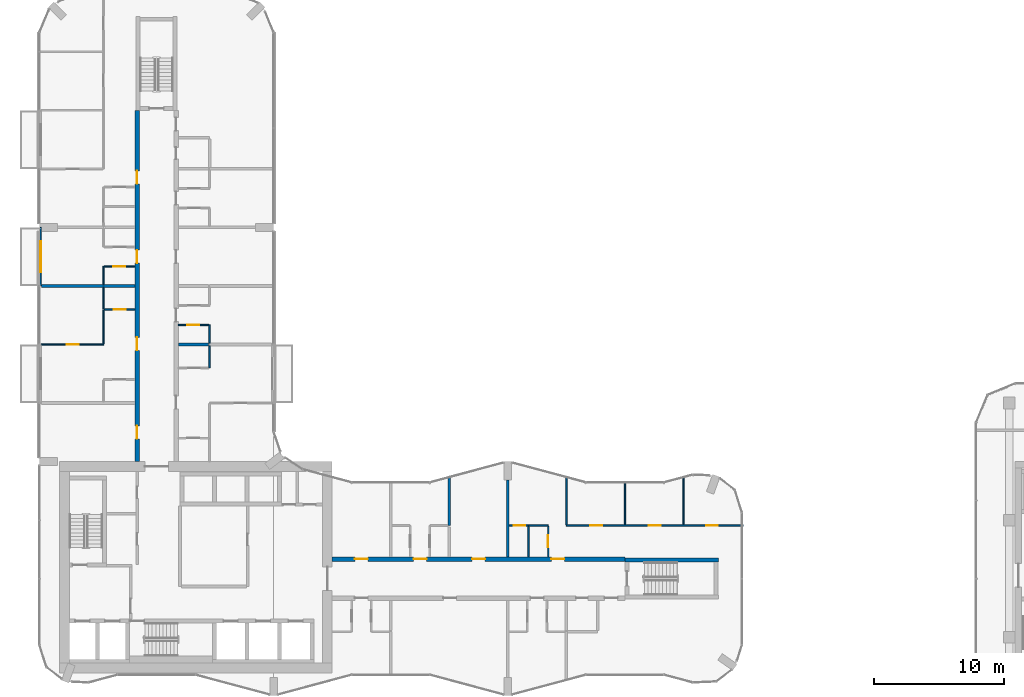
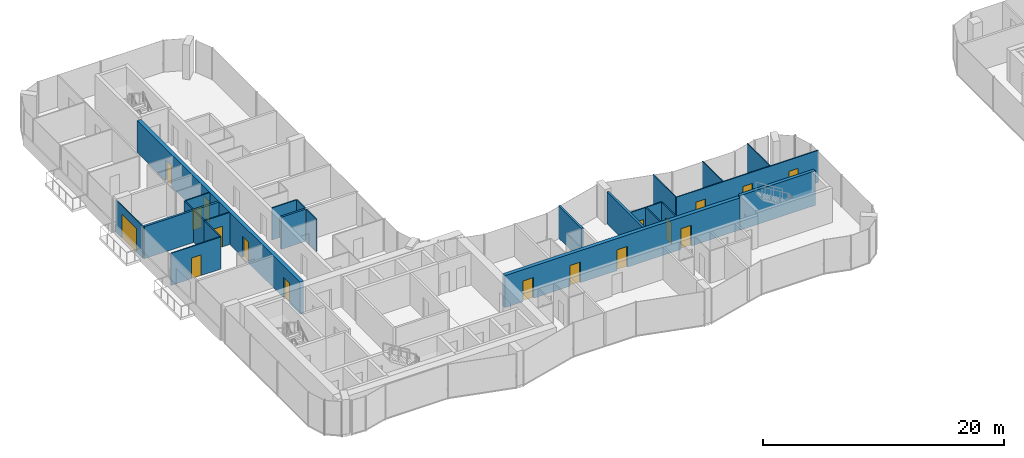
# One storey, part 15 of 22: 24 walls, 18 doors, 18 openings.
"""IFC4 building model written with IfcOpenShell, lengths in metres."""

import ifcopenshell
import ifcopenshell.guid

model = None  # the IFC model being written
_history = None  # IfcOwnerHistory: only IFC2X3 demands one
_inside = {}  # id of a spatial element -> (the spatial element, [elements in it])
_under = {}  # id of a project, library or spatial element -> (it, [spatial elements below it])
_declared = {}  # id of a project -> (the project, [libraries it declares])
_typed = {}  # id of a type object -> (the type object, [elements of that type])
_made_of = {}  # id of a material, layer set ... -> (it, [elements and type objects made of it])


def new_model(schema):
    """Start an empty IFC model of exactly this schema.

    Asked for "IFC4X3", IfcOpenShell would pick the latest addendum, in which some entities
    have other attributes; the version numbers below select the first issue.
    IFC2X3 requires an IfcOwnerHistory on every rooted entity: one is made here for all.
    """
    global model, _history
    if schema == "IFC4X3":
        model = ifcopenshell.file(schema_version=(4, 3, 0, 0))
    else:
        model = ifcopenshell.file(schema=schema)
    _inside.clear()
    _under.clear()
    _declared.clear()
    _typed.clear()
    _made_of.clear()
    _history = None
    if model.schema == "IFC2X3":
        org = make("IfcOrganization", Name="unknown")
        user = make(
            "IfcPersonAndOrganization",
            ThePerson=make("IfcPerson", FamilyName="unknown"),
            TheOrganization=org,
        )
        app = make(
            "IfcApplication",
            ApplicationDeveloper=org,
            Version="unknown",
            ApplicationFullName="unknown",
            ApplicationIdentifier="unknown",
        )
        _history = make(
            "IfcOwnerHistory",
            OwningUser=user,
            OwningApplication=app,
            ChangeAction="ADDED",
            CreationDate=0,
        )
    return model


def make(cls, **values):
    """One entity of the class cls with the attributes given. An attribute that is None is left unset."""
    return model.create_entity(
        cls, **{name: value for name, value in values.items() if value is not None}
    )


def rooted(cls, **values):
    """An entity with a GlobalId (a new one), such as an element, a storey or a relation."""
    return make(cls, GlobalId=ifcopenshell.guid.new(), OwnerHistory=_history, **values)


def si_unit(unit_type, name, prefix=None):
    """IfcSIUnit, for example si_unit("LENGTHUNIT", "METRE", prefix="MILLI")."""
    return make("IfcSIUnit", UnitType=unit_type, Prefix=prefix, Name=name)


def assignment(units):
    """IfcUnitAssignment: the units of a project."""
    return None if units is None else make("IfcUnitAssignment", Units=units)


def point(xyz):
    """IfcCartesianPoint."""
    return None if xyz is None else make("IfcCartesianPoint", Coordinates=xyz)


def direction(xyz):
    """IfcDirection."""
    return None if xyz is None else make("IfcDirection", DirectionRatios=xyz)


def frame(location, z_axis=None, x_axis=None):
    """IfcAxis2Placement3D, a coordinate frame: its origin and axes. An axis left out is left unset."""
    return make(
        "IfcAxis2Placement3D",
        Location=point(location),
        Axis=direction(z_axis),
        RefDirection=direction(x_axis),
    )


def frame_2d(location, x_axis=None):
    """IfcAxis2Placement2D, a coordinate frame in the plane: its origin and x axis."""
    return make(
        "IfcAxis2Placement2D", Location=point(location), RefDirection=direction(x_axis)
    )


def origin():
    """The frame at (0, 0, 0) with its axes left unset."""
    return frame((0.0, 0.0, 0.0))


def place(relative_to, where):
    """IfcLocalPlacement: puts the frame where relative to a parent placement (None: the world)."""
    return make(
        "IfcLocalPlacement", PlacementRelTo=relative_to, RelativePlacement=where
    )


def context(
    kind, dimensions, precision=None, world=None, true_north=None, identifier=None
):
    """IfcGeometricRepresentationContext, for example the 3D "Model" context."""
    return make(
        "IfcGeometricRepresentationContext",
        ContextIdentifier=identifier,
        ContextType=kind,
        CoordinateSpaceDimension=dimensions,
        Precision=precision,
        WorldCoordinateSystem=world,
        TrueNorth=true_north,
    )


def subcontext(parent, identifier, kind, view, scale=None):
    """IfcGeometricRepresentationSubContext, for example "Body" below "Model"."""
    return make(
        "IfcGeometricRepresentationSubContext",
        ContextIdentifier=identifier,
        ContextType=kind,
        ParentContext=parent,
        TargetScale=scale,
        TargetView=view,
    )


def project(units=None, contexts=None):
    """IfcProject with its units and contexts."""
    return rooted(
        "IfcProject",
        Name="project",
        RepresentationContexts=contexts,
        UnitsInContext=assignment(units),
    )


def spatial(cls, under=None, at=None, **own):
    """A site, building, storey or space (cls), placed at a placement, below another one or the project."""
    s = rooted(cls, ObjectPlacement=at, **own)
    if under is not None:
        _under.setdefault(under.id(), (under, []))[1].append(s)
    return s


def profile(cls, at=None, kind="AREA", **sizes):
    """A parametric profile (cls). Its sizes go by their IFC names, for example OverallWidth=200.0."""
    return make(cls, ProfileType=kind, Position=at, **sizes)


def rectangle(**sizes):
    """IfcRectangleProfileDef."""
    return profile("IfcRectangleProfileDef", **sizes)


def extrude(swept, where, along, depth):
    """IfcExtrudedAreaSolid: the profile swept, set in the frame where, extruded along a direction by depth."""
    return make(
        "IfcExtrudedAreaSolid",
        SweptArea=swept,
        Position=where,
        ExtrudedDirection=direction(along),
        Depth=depth,
    )


def shape(context_of_items, identifier, shape_type, items):
    """IfcShapeRepresentation: the items that make up one representation, for example the "Body"."""
    return make(
        "IfcShapeRepresentation",
        ContextOfItems=context_of_items,
        RepresentationIdentifier=identifier,
        RepresentationType=shape_type,
        Items=items,
    )


def material(Name=None, Category=None):
    """IfcMaterial."""
    return make("IfcMaterial", Name=Name, Category=Category)


def layer(
    of_material, thickness, ventilated=None, Name=None, Category=None, Priority=None
):
    """IfcMaterialLayer: one layer of a wall or slab, of a material (None: an air gap)."""
    return make(
        "IfcMaterialLayer",
        Material=of_material,
        LayerThickness=thickness,
        IsVentilated=ventilated,
        Name=Name,
        Category=Category,
        Priority=Priority,
    )


def layer_set(layers, Name=None):
    """IfcMaterialLayerSet."""
    return make("IfcMaterialLayerSet", MaterialLayers=layers, LayerSetName=Name)


def made_of(thing, what):
    """Note that an element or type object is made of a material, layer set ...; save() writes the relation."""
    if what is not None:
        _made_of.setdefault(what.id(), (what, []))[1].append(thing)
    return thing


def type_object(cls, material=None, **own):
    """A type object (cls), such as IfcWallType, which elements share."""
    return made_of(rooted(cls, **own), material)


def element(
    cls,
    number,
    at=None,
    inside=None,
    cuts=None,
    type_object=None,
    material=None,
    context=None,
    identifier="Body",
    shape_type=None,
    held_by="IfcProductDefinitionShape",
    body=None,
    shapes=None,
    **own,
):
    """One element of the class cls, such as IfcWall. Its Tag is "e" and its number.

    at: its placement. inside: the storey or other place that contains it. cuts: it is an
    opening in that element (IfcRelVoidsElement). A single representation is given by context,
    identifier, shape_type and body (its items); several are given by shapes. held_by: the class
    of the entity that holds the representations. save() writes the other relations.
    """
    e = rooted(cls, Tag="e%d" % number, ObjectPlacement=at, **own)
    if body is not None:
        shapes = [shape(context, identifier, shape_type, body)]
    if shapes is not None:
        e.Representation = make(held_by, Representations=shapes)
    if inside is not None:
        _inside.setdefault(inside.id(), (inside, []))[1].append(e)
    if cuts is not None:
        rooted(
            "IfcRelVoidsElement", RelatingBuildingElement=cuts, RelatedOpeningElement=e
        )
    if type_object is not None:
        _typed.setdefault(type_object.id(), (type_object, []))[1].append(e)
    return made_of(e, material)


def fill(opening, filler):
    """IfcRelFillsElement: the door or window that sits in an opening."""
    return rooted(
        "IfcRelFillsElement",
        RelatingOpeningElement=opening,
        RelatedBuildingElement=filler,
    )


def aggregate(whole, parts):
    """IfcRelAggregates: a whole, such as a stair, and the parts it consists of."""
    return rooted("IfcRelAggregates", RelatingObject=whole, RelatedObjects=parts)


def save(model, path):
    """Write the relations noted so far, then the file.

    IfcRelAggregates (storeys below a building ...), IfcRelContainedInSpatialStructure (elements
    in a storey), IfcRelDefinesByType, IfcRelAssociatesMaterial and IfcRelDeclares: one each for
    every whole, place, type object, material and project.
    """
    for whole, parts in _under.values():
        aggregate(whole, parts)
    for where, things in _inside.values():
        rooted(
            "IfcRelContainedInSpatialStructure",
            RelatedElements=things,
            RelatingStructure=where,
        )
    for kind, things in _typed.values():
        rooted("IfcRelDefinesByType", RelatedObjects=things, RelatingType=kind)
    for what, things in _made_of.values():
        rooted("IfcRelAssociatesMaterial", RelatedObjects=things, RelatingMaterial=what)
    for by, libraries in _declared.values():
        rooted("IfcRelDeclares", RelatingContext=by, RelatedDefinitions=libraries)
    model.write(path)


model = new_model("IFC4")

# Units and contexts
model_context = context("Model", 3, precision=1e-05, world=origin(), true_north=direction((0.0, 1.0)))
body_context = subcontext(model_context, "Body", "Model", "MODEL_VIEW")
ifc_project = project(units=[si_unit("LENGTHUNIT", "METRE"), si_unit("AREAUNIT", "SQUARE_METRE"), si_unit("VOLUMEUNIT", "CUBIC_METRE"), si_unit("PLANEANGLEUNIT", "RADIAN"), si_unit("MASSUNIT", "GRAM", prefix="KILO")], contexts=[model_context])

# Site, building, storey
site_placement = place(None, origin())
site = spatial("IfcSite", under=ifc_project, at=site_placement, CompositionType="ELEMENT")
building_placement = place(site_placement, origin())
building = spatial("IfcBuilding", under=site, at=building_placement, Name="Plateau Cross Towers", CompositionType="ELEMENT")
storey_placement = place(building_placement, frame((0.0, 0.0, 54.800048828125)))
storey = spatial("IfcBuildingStorey", under=building, at=storey_placement, Name="L13", CompositionType="ELEMENT", Elevation=54.800048828125)

# Wall, opening, door
ifc_material_1 = material(Name="Aluminium framed glazing", Category="aluminium")
ifc_layer_1 = layer(ifc_material_1, 0.10009765625)
ifc_layer_set_1 = layer_set([ifc_layer_1], Name="Aluminium framed glazing")
wall_type_1 = type_object("IfcWallType", Name="Balcony screen wall 100", PredefinedType="STANDARD", material=ifc_layer_set_1)
wall_1_placement = place(storey_placement, frame((0.10009765625, 31.5, 0.0), z_axis=(0.0, 0.0, 1.0), x_axis=(0.0, 1.0, 0.0)))
wall_1 = element("IfcWall", 1, at=wall_1_placement, inside=storey, type_object=wall_type_1, Name="Balcony screen wall A-BAL-L13-02", PredefinedType="STANDARD", context=body_context, shape_type="SweptSolid", body=[
    extrude(rectangle(XDim=4.5, YDim=0.10009765625, at=frame_2d((2.25, 0.0))), origin(), (0.0, 0.0, 1.0), 3.25),
])
opening_1_placement = place(wall_1_placement, frame((1.050048828125, 0.0, 0.0)))
opening_1 = element("IfcOpeningElement", 2, at=opening_1_placement, cuts=wall_1, Name="Opening D-B24", PredefinedType="OPENING", context=body_context, shape_type="SweptSolid", body=[
    extrude(rectangle(XDim=2.39990234375, YDim=2.39990234375, at=frame_2d((1.199951171875, 1.199951171875))), frame((0.0, 0.06005859375, 0.0), z_axis=(0.0, -1.0, 0.0), x_axis=(1.0, 0.0, 0.0)), (0.0, 0.0, 1.0), 0.1201171875),
])
ifc_material_2 = material(Name="Aluminium frame, double glazing", Category="aluminium")
door_type_1 = type_object("IfcDoorType", Name="Balcony sliding door 2400", OperationType="NOTDEFINED", PredefinedType="DOOR", material=ifc_material_2)
door_1_placement = place(opening_1_placement, origin())
door_1 = element("IfcDoor", 3, at=door_1_placement, inside=storey, type_object=door_type_1, Name="Balcony door A-BAL-L13-02", OperationType="SINGLE_SWING_LEFT", OverallHeight=2.39990234375, OverallWidth=2.39990234375, PredefinedType="DOOR", context=body_context, shape_type="SweptSolid", body=[
    extrude(rectangle(XDim=2.39990234375, YDim=2.39990234375, at=frame_2d((1.199951171875, 1.199951171875))), frame((0.0, 0.02490234375, 0.0), z_axis=(0.0, -1.0, 0.0), x_axis=(1.0, 0.0, 0.0)), (0.0, 0.0, 1.0), 0.050048828125),
])
fill(opening_1, door_1)

# Wall, openings, doors
ifc_material_3 = material(Name="Concrete C60/75", Category="concrete")
ifc_layer_2 = layer(ifc_material_3, 0.35009765625)
ifc_layer_set_2 = layer_set([ifc_layer_2], Name="Concrete C60/75")
wall_type_2 = type_object("IfcWallType", Name="Corridor wall 350", PredefinedType="SHEAR", material=ifc_layer_set_2)
wall_2_placement = place(storey_placement, frame((22.5, 10.5, 0.0), z_axis=(0.0, 0.0, 1.0), x_axis=(1.0, 0.0, 0.0)))
wall_2 = element("IfcWall", 4, at=wall_2_placement, inside=storey, type_object=wall_type_2, Name="A-cw-S2@L13", PredefinedType="SHEAR", context=body_context, shape_type="SweptSolid", body=[
    extrude(rectangle(XDim=22.5, YDim=0.35009765625, at=frame_2d((11.25, 0.0))), origin(), (0.0, 0.0, 1.0), 3.25),
])
opening_2_placement = place(wall_2_placement, frame((1.75, 0.0, 0.0)))
opening_2 = element("IfcOpeningElement", 5, at=opening_2_placement, cuts=wall_2, Name="Opening 13-06", PredefinedType="OPENING", context=body_context, shape_type="SweptSolid", body=[
    extrude(rectangle(XDim=1.0, YDim=2.10009765625, at=frame_2d((0.5, 1.050048828125))), frame((0.0, 0.18505859375, 0.0), z_axis=(0.0, -1.0, 0.0), x_axis=(1.0, 0.0, 0.0)), (0.0, 0.0, 1.0), 0.3701171875),
])
opening_3_placement = place(wall_2_placement, frame((6.25, 0.0, 0.0)))
opening_3 = element("IfcOpeningElement", 6, at=opening_3_placement, cuts=wall_2, Name="Opening 13-07", PredefinedType="OPENING", context=body_context, shape_type="SweptSolid", body=[
    extrude(rectangle(XDim=1.0, YDim=2.10009765625, at=frame_2d((0.5, 1.050048828125))), frame((0.0, 0.18505859375, 0.0), z_axis=(0.0, -1.0, 0.0), x_axis=(1.0, 0.0, 0.0)), (0.0, 0.0, 1.0), 0.3701171875),
])
opening_4_placement = place(wall_2_placement, frame((10.75, 0.0, 0.0)))
opening_4 = element("IfcOpeningElement", 7, at=opening_4_placement, cuts=wall_2, Name="Opening 13-08", PredefinedType="OPENING", context=body_context, shape_type="SweptSolid", body=[
    extrude(rectangle(XDim=1.0, YDim=2.10009765625, at=frame_2d((0.5, 1.050048828125))), frame((0.0, 0.18505859375, 0.0), z_axis=(0.0, -1.0, 0.0), x_axis=(1.0, 0.0, 0.0)), (0.0, 0.0, 1.0), 0.3701171875),
])
opening_5_placement = place(wall_2_placement, frame((16.85009765625, 0.0, 0.0)))
opening_5 = element("IfcOpeningElement", 8, at=opening_5_placement, cuts=wall_2, Name="Opening 13-09", PredefinedType="OPENING", context=body_context, shape_type="SweptSolid", body=[
    extrude(rectangle(XDim=1.0, YDim=2.10009765625, at=frame_2d((0.5, 1.050048828125))), frame((0.0, 0.18505859375, 0.0), z_axis=(0.0, -1.0, 0.0), x_axis=(1.0, 0.0, 0.0)), (0.0, 0.0, 1.0), 0.3701171875),
])
ifc_material_4 = material(Name="Timber, fire-resisting leaf", Category="wood")
door_type_2 = type_object("IfcDoorType", Name="Flat entrance door 1000", OperationType="NOTDEFINED", PredefinedType="DOOR", material=ifc_material_4)
door_2_placement = place(opening_2_placement, origin())
door_2 = element("IfcDoor", 9, at=door_2_placement, inside=storey, type_object=door_type_2, Name="Door 13-06", OperationType="SINGLE_SWING_LEFT", OverallHeight=2.10009765625, OverallWidth=1.0, PredefinedType="DOOR", context=body_context, shape_type="SweptSolid", body=[
    extrude(rectangle(XDim=1.0, YDim=2.10009765625, at=frame_2d((0.5, 1.050048828125))), frame((0.0, 0.02490234375, 0.0), z_axis=(0.0, -1.0, 0.0), x_axis=(1.0, 0.0, 0.0)), (0.0, 0.0, 1.0), 0.050048828125),
])
fill(opening_2, door_2)
door_3_placement = place(opening_3_placement, origin())
door_3 = element("IfcDoor", 10, at=door_3_placement, inside=storey, type_object=door_type_2, Name="Door 13-07", OperationType="SINGLE_SWING_LEFT", OverallHeight=2.10009765625, OverallWidth=1.0, PredefinedType="DOOR", context=body_context, shape_type="SweptSolid", body=[
    extrude(rectangle(XDim=1.0, YDim=2.10009765625, at=frame_2d((0.5, 1.050048828125))), frame((0.0, 0.02490234375, 0.0), z_axis=(0.0, -1.0, 0.0), x_axis=(1.0, 0.0, 0.0)), (0.0, 0.0, 1.0), 0.050048828125),
])
fill(opening_3, door_3)
door_4_placement = place(opening_4_placement, origin())
door_4 = element("IfcDoor", 11, at=door_4_placement, inside=storey, type_object=door_type_2, Name="Door 13-08", OperationType="SINGLE_SWING_LEFT", OverallHeight=2.10009765625, OverallWidth=1.0, PredefinedType="DOOR", context=body_context, shape_type="SweptSolid", body=[
    extrude(rectangle(XDim=1.0, YDim=2.10009765625, at=frame_2d((0.5, 1.050048828125))), frame((0.0, 0.02490234375, 0.0), z_axis=(0.0, -1.0, 0.0), x_axis=(1.0, 0.0, 0.0)), (0.0, 0.0, 1.0), 0.050048828125),
])
fill(opening_4, door_4)
door_5_placement = place(opening_5_placement, origin())
door_5 = element("IfcDoor", 12, at=door_5_placement, inside=storey, type_object=door_type_2, Name="Door 13-09", OperationType="SINGLE_SWING_RIGHT", OverallHeight=2.10009765625, OverallWidth=1.0, PredefinedType="DOOR", context=body_context, shape_type="SweptSolid", body=[
    extrude(rectangle(XDim=1.0, YDim=2.10009765625, at=frame_2d((0.5, 1.050048828125))), frame((0.0, 0.02490234375, 0.0), z_axis=(0.0, -1.0, 0.0), x_axis=(1.0, 0.0, 0.0)), (0.0, 0.0, 1.0), 0.050048828125),
])
fill(opening_5, door_5)

wall_3_placement = place(storey_placement, frame((7.5, 18.0, 0.0), z_axis=(0.0, 0.0, 1.0), x_axis=(0.0, 1.0, 0.0)))
wall_3 = element("IfcWall", 13, at=wall_3_placement, inside=storey, type_object=wall_type_2, Name="A-cw-W1@L13", PredefinedType="SHEAR", context=body_context, shape_type="SweptSolid", body=[
    extrude(rectangle(XDim=27.0, YDim=0.35009765625, at=frame_2d((13.5, 0.0))), origin(), (0.0, 0.0, 1.0), 3.25),
])
opening_6_placement = place(wall_3_placement, frame((1.75, 0.0, 0.0)))
opening_6 = element("IfcOpeningElement", 14, at=opening_6_placement, cuts=wall_3, Name="Opening 13-10", PredefinedType="OPENING", context=body_context, shape_type="SweptSolid", body=[
    extrude(rectangle(XDim=1.0, YDim=2.10009765625, at=frame_2d((0.5, 1.050048828125))), frame((0.0, 0.18505859375, 0.0), z_axis=(0.0, -1.0, 0.0), x_axis=(1.0, 0.0, 0.0)), (0.0, 0.0, 1.0), 0.3701171875),
])
opening_7_placement = place(wall_3_placement, frame((8.550048828125, 0.0, 0.0)))
opening_7 = element("IfcOpeningElement", 15, at=opening_7_placement, cuts=wall_3, Name="Opening 13-11", PredefinedType="OPENING", context=body_context, shape_type="SweptSolid", body=[
    extrude(rectangle(XDim=1.0, YDim=2.10009765625, at=frame_2d((0.5, 1.050048828125))), frame((0.0, 0.18505859375, 0.0), z_axis=(0.0, -1.0, 0.0), x_axis=(1.0, 0.0, 0.0)), (0.0, 0.0, 1.0), 0.3701171875),
])
opening_8_placement = place(wall_3_placement, frame((15.25, 0.0, 0.0)))
opening_8 = element("IfcOpeningElement", 16, at=opening_8_placement, cuts=wall_3, Name="Opening 13-12", PredefinedType="OPENING", context=body_context, shape_type="SweptSolid", body=[
    extrude(rectangle(XDim=1.0, YDim=2.10009765625, at=frame_2d((0.5, 1.050048828125))), frame((0.0, 0.18505859375, 0.0), z_axis=(0.0, -1.0, 0.0), x_axis=(1.0, 0.0, 0.0)), (0.0, 0.0, 1.0), 0.3701171875),
])
opening_9_placement = place(wall_3_placement, frame((21.35009765625, 0.0, 0.0)))
opening_9 = element("IfcOpeningElement", 17, at=opening_9_placement, cuts=wall_3, Name="Opening 13-13", PredefinedType="OPENING", context=body_context, shape_type="SweptSolid", body=[
    extrude(rectangle(XDim=1.0, YDim=2.10009765625, at=frame_2d((0.5, 1.050048828125))), frame((0.0, 0.18505859375, 0.0), z_axis=(0.0, -1.0, 0.0), x_axis=(1.0, 0.0, 0.0)), (0.0, 0.0, 1.0), 0.3701171875),
])
door_6_placement = place(opening_6_placement, origin())
door_6 = element("IfcDoor", 18, at=door_6_placement, inside=storey, type_object=door_type_2, Name="Door 13-10", OperationType="SINGLE_SWING_LEFT", OverallHeight=2.10009765625, OverallWidth=1.0, PredefinedType="DOOR", context=body_context, shape_type="SweptSolid", body=[
    extrude(rectangle(XDim=1.0, YDim=2.10009765625, at=frame_2d((0.5, 1.050048828125))), frame((0.0, 0.02490234375, 0.0), z_axis=(0.0, -1.0, 0.0), x_axis=(1.0, 0.0, 0.0)), (0.0, 0.0, 1.0), 0.050048828125),
])
fill(opening_6, door_6)
door_7_placement = place(opening_7_placement, origin())
door_7 = element("IfcDoor", 19, at=door_7_placement, inside=storey, type_object=door_type_2, Name="Door 13-11", OperationType="SINGLE_SWING_LEFT", OverallHeight=2.10009765625, OverallWidth=1.0, PredefinedType="DOOR", context=body_context, shape_type="SweptSolid", body=[
    extrude(rectangle(XDim=1.0, YDim=2.10009765625, at=frame_2d((0.5, 1.050048828125))), frame((0.0, 0.02490234375, 0.0), z_axis=(0.0, -1.0, 0.0), x_axis=(1.0, 0.0, 0.0)), (0.0, 0.0, 1.0), 0.050048828125),
])
fill(opening_7, door_7)
door_8_placement = place(opening_8_placement, origin())
door_8 = element("IfcDoor", 20, at=door_8_placement, inside=storey, type_object=door_type_2, Name="Door 13-12", OperationType="SINGLE_SWING_RIGHT", OverallHeight=2.10009765625, OverallWidth=1.0, PredefinedType="DOOR", context=body_context, shape_type="SweptSolid", body=[
    extrude(rectangle(XDim=1.0, YDim=2.10009765625, at=frame_2d((0.5, 1.050048828125))), frame((0.0, 0.02490234375, 0.0), z_axis=(0.0, -1.0, 0.0), x_axis=(1.0, 0.0, 0.0)), (0.0, 0.0, 1.0), 0.050048828125),
])
fill(opening_8, door_8)
door_9_placement = place(opening_9_placement, origin())
door_9 = element("IfcDoor", 21, at=door_9_placement, inside=storey, type_object=door_type_2, Name="Door 13-13", OperationType="SINGLE_SWING_RIGHT", OverallHeight=2.10009765625, OverallWidth=1.0, PredefinedType="DOOR", context=body_context, shape_type="SweptSolid", body=[
    extrude(rectangle(XDim=1.0, YDim=2.10009765625, at=frame_2d((0.5, 1.050048828125))), frame((0.0, 0.02490234375, 0.0), z_axis=(0.0, -1.0, 0.0), x_axis=(1.0, 0.0, 0.0)), (0.0, 0.0, 1.0), 0.050048828125),
])
fill(opening_9, door_9)

# Wall, opening, door
ifc_material_5 = material(Name="Gypsum board on steel studs", Category="steel")
ifc_layer_3 = layer(ifc_material_5, 0.10009765625)
ifc_layer_set_3 = layer_set([ifc_layer_3], Name="Gypsum board on steel studs")
wall_type_3 = type_object("IfcWallType", Name="Flat partition 100", PredefinedType="PARTITIONING", material=ifc_layer_set_3)
wall_4_placement = place(storey_placement, frame((39.10009765625, 13.074951171875, 0.0), z_axis=(0.0, 0.0, 1.0), x_axis=(-1.0, 0.0, 0.0)))
wall_4 = element("IfcWall", 22, at=wall_4_placement, inside=storey, type_object=wall_type_3, Name="Partition wall", PredefinedType="PARTITIONING", context=body_context, shape_type="SweptSolid", body=[
    extrude(rectangle(XDim=3.0, YDim=0.10009765625, at=frame_2d((1.5, 0.0))), origin(), (0.0, 0.0, 1.0), 3.25),
])
opening_10_placement = place(wall_4_placement, frame((1.75, 0.0, 0.0)))
opening_10 = element("IfcOpeningElement", 23, at=opening_10_placement, cuts=wall_4, Name="Opening 13-26", PredefinedType="OPENING", context=body_context, shape_type="SweptSolid", body=[
    extrude(rectangle(XDim=0.89990234375, YDim=2.10009765625, at=frame_2d((0.449951171875, 1.050048828125))), frame((0.0, 0.06005859375, 0.0), z_axis=(0.0, -1.0, 0.0), x_axis=(1.0, 0.0, 0.0)), (0.0, 0.0, 1.0), 0.1201171875),
])
ifc_material_6 = material(Name="Timber leaf", Category="wood")
door_type_3 = type_object("IfcDoorType", Name="Flat room door 900", OperationType="NOTDEFINED", PredefinedType="DOOR", material=ifc_material_6)
door_10_placement = place(opening_10_placement, origin())
door_10 = element("IfcDoor", 24, at=door_10_placement, inside=storey, type_object=door_type_3, Name="Door 13-26", OperationType="SINGLE_SWING_RIGHT", OverallHeight=2.10009765625, OverallWidth=0.89990234375, PredefinedType="DOOR", context=body_context, shape_type="SweptSolid", body=[
    extrude(rectangle(XDim=0.89990234375, YDim=2.10009765625, at=frame_2d((0.449951171875, 1.050048828125))), frame((0.0, 0.02490234375, 0.0), z_axis=(0.0, -1.0, 0.0), x_axis=(1.0, 0.0, 0.0)), (0.0, 0.0, 1.0), 0.050048828125),
])
fill(opening_10, door_10)

# Wall, openings, doors
wall_5_placement = place(storey_placement, frame((40.5, 13.074951171875, 0.0), z_axis=(0.0, 0.0, 1.0), x_axis=(1.0, 0.0, 0.0)))
wall_5 = element("IfcWall", 25, at=wall_5_placement, inside=storey, type_object=wall_type_3, Name="Partition wall", PredefinedType="PARTITIONING", context=body_context, shape_type="SweptSolid", body=[
    extrude(rectangle(XDim=13.580078125, YDim=0.10009765625, at=frame_2d((6.7900390625, 0.0))), origin(), (0.0, 0.0, 1.0), 3.25),
])
opening_11_placement = place(wall_5_placement, frame((1.85009765625, 0.0, 0.0)))
opening_11 = element("IfcOpeningElement", 26, at=opening_11_placement, cuts=wall_5, Name="Opening 13-28", PredefinedType="OPENING", context=body_context, shape_type="SweptSolid", body=[
    extrude(rectangle(XDim=0.89990234375, YDim=2.10009765625, at=frame_2d((0.449951171875, 1.050048828125))), frame((0.0, 0.06005859375, 0.0), z_axis=(0.0, -1.0, 0.0), x_axis=(1.0, 0.0, 0.0)), (0.0, 0.0, 1.0), 0.1201171875),
])
opening_12_placement = place(wall_5_placement, frame((6.35009765625, 0.0, 0.0)))
opening_12 = element("IfcOpeningElement", 27, at=opening_12_placement, cuts=wall_5, Name="Opening 13-29", PredefinedType="OPENING", context=body_context, shape_type="SweptSolid", body=[
    extrude(rectangle(XDim=0.89990234375, YDim=2.10009765625, at=frame_2d((0.449951171875, 1.050048828125))), frame((0.0, 0.06005859375, 0.0), z_axis=(0.0, -1.0, 0.0), x_axis=(1.0, 0.0, 0.0)), (0.0, 0.0, 1.0), 0.1201171875),
])
opening_13_placement = place(wall_5_placement, frame((10.75, 0.0, 0.0)))
opening_13 = element("IfcOpeningElement", 28, at=opening_13_placement, cuts=wall_5, Name="Opening 13-30", PredefinedType="OPENING", context=body_context, shape_type="SweptSolid", body=[
    extrude(rectangle(XDim=0.89990234375, YDim=2.10009765625, at=frame_2d((0.449951171875, 1.050048828125))), frame((0.0, 0.06005859375, 0.0), z_axis=(0.0, -1.0, 0.0), x_axis=(1.0, 0.0, 0.0)), (0.0, 0.0, 1.0), 0.1201171875),
])
door_11_placement = place(opening_11_placement, origin())
door_11 = element("IfcDoor", 29, at=door_11_placement, inside=storey, type_object=door_type_3, Name="Door 13-28", OperationType="SINGLE_SWING_LEFT", OverallHeight=2.10009765625, OverallWidth=0.89990234375, PredefinedType="DOOR", context=body_context, shape_type="SweptSolid", body=[
    extrude(rectangle(XDim=0.89990234375, YDim=2.10009765625, at=frame_2d((0.449951171875, 1.050048828125))), frame((0.0, 0.02490234375, 0.0), z_axis=(0.0, -1.0, 0.0), x_axis=(1.0, 0.0, 0.0)), (0.0, 0.0, 1.0), 0.050048828125),
])
fill(opening_11, door_11)
door_12_placement = place(opening_12_placement, origin())
door_12 = element("IfcDoor", 30, at=door_12_placement, inside=storey, type_object=door_type_3, Name="Door 13-29", OperationType="SINGLE_SWING_RIGHT", OverallHeight=2.10009765625, OverallWidth=0.89990234375, PredefinedType="DOOR", context=body_context, shape_type="SweptSolid", body=[
    extrude(rectangle(XDim=0.89990234375, YDim=2.10009765625, at=frame_2d((0.449951171875, 1.050048828125))), frame((0.0, 0.02490234375, 0.0), z_axis=(0.0, -1.0, 0.0), x_axis=(1.0, 0.0, 0.0)), (0.0, 0.0, 1.0), 0.050048828125),
])
fill(opening_12, door_12)
door_13_placement = place(opening_13_placement, origin())
door_13 = element("IfcDoor", 31, at=door_13_placement, inside=storey, type_object=door_type_3, Name="Door 13-30", OperationType="SINGLE_SWING_RIGHT", OverallHeight=2.10009765625, OverallWidth=0.89990234375, PredefinedType="DOOR", context=body_context, shape_type="SweptSolid", body=[
    extrude(rectangle(XDim=0.89990234375, YDim=2.10009765625, at=frame_2d((0.449951171875, 1.050048828125))), frame((0.0, 0.02490234375, 0.0), z_axis=(0.0, -1.0, 0.0), x_axis=(1.0, 0.0, 0.0)), (0.0, 0.0, 1.0), 0.050048828125),
])
fill(opening_13, door_13)

# Wall, opening, door
wall_6_placement = place(storey_placement, frame((0.14990234375, 27.0, 0.0), z_axis=(0.0, 0.0, 1.0), x_axis=(1.0, 0.0, 0.0)))
wall_6 = element("IfcWall", 32, at=wall_6_placement, inside=storey, type_object=wall_type_3, Name="Partition wall", PredefinedType="PARTITIONING", context=body_context, shape_type="SweptSolid", body=[
    extrude(rectangle(XDim=4.775146484375, YDim=0.10009765625, at=frame_2d((2.3876953125, 0.0))), origin(), (0.0, 0.0, 1.0), 3.25),
])
opening_14_placement = place(wall_6_placement, frame((1.949951171875, 0.0, 0.0)))
opening_14 = element("IfcOpeningElement", 33, at=opening_14_placement, cuts=wall_6, Name="Opening 13-33", PredefinedType="OPENING", context=body_context, shape_type="SweptSolid", body=[
    extrude(rectangle(XDim=0.89990234375, YDim=2.10009765625, at=frame_2d((0.449951171875, 1.050048828125))), frame((0.0, 0.06005859375, 0.0), z_axis=(0.0, -1.0, 0.0), x_axis=(1.0, 0.0, 0.0)), (0.0, 0.0, 1.0), 0.1201171875),
])
door_14_placement = place(opening_14_placement, origin())
door_14 = element("IfcDoor", 34, at=door_14_placement, inside=storey, type_object=door_type_3, Name="Door 13-33", OperationType="SINGLE_SWING_RIGHT", OverallHeight=2.10009765625, OverallWidth=0.89990234375, PredefinedType="DOOR", context=body_context, shape_type="SweptSolid", body=[
    extrude(rectangle(XDim=0.89990234375, YDim=2.10009765625, at=frame_2d((0.449951171875, 1.050048828125))), frame((0.0, 0.02490234375, 0.0), z_axis=(0.0, -1.0, 0.0), x_axis=(1.0, 0.0, 0.0)), (0.0, 0.0, 1.0), 0.050048828125),
])
fill(opening_14, door_14)

wall_7_placement = place(storey_placement, frame((13.02490234375, 28.5, 0.0), z_axis=(0.0, 0.0, 1.0), x_axis=(-1.0, 0.0, 0.0)))
wall_7 = element("IfcWall", 35, at=wall_7_placement, inside=storey, type_object=wall_type_3, Name="Partition wall", PredefinedType="PARTITIONING", context=body_context, shape_type="SweptSolid", body=[
    extrude(rectangle(XDim=2.349853515625, YDim=0.10009765625, at=frame_2d((1.1748046875, 0.0))), origin(), (0.0, 0.0, 1.0), 3.25),
])
opening_15_placement = place(wall_7_placement, frame((0.75, 0.0, 0.0)))
opening_15 = element("IfcOpeningElement", 36, at=opening_15_placement, cuts=wall_7, Name="Opening 13-44", PredefinedType="OPENING", context=body_context, shape_type="SweptSolid", body=[
    extrude(rectangle(XDim=0.89990234375, YDim=2.10009765625, at=frame_2d((0.449951171875, 1.050048828125))), frame((0.0, 0.06005859375, 0.0), z_axis=(0.0, -1.0, 0.0), x_axis=(1.0, 0.0, 0.0)), (0.0, 0.0, 1.0), 0.1201171875),
])
door_15_placement = place(opening_15_placement, origin())
door_15 = element("IfcDoor", 37, at=door_15_placement, inside=storey, type_object=door_type_3, Name="Door 13-44", OperationType="SINGLE_SWING_RIGHT", OverallHeight=2.10009765625, OverallWidth=0.89990234375, PredefinedType="DOOR", context=body_context, shape_type="SweptSolid", body=[
    extrude(rectangle(XDim=0.89990234375, YDim=2.10009765625, at=frame_2d((0.449951171875, 1.050048828125))), frame((0.0, 0.02490234375, 0.0), z_axis=(0.0, -1.0, 0.0), x_axis=(1.0, 0.0, 0.0)), (0.0, 0.0, 1.0), 0.050048828125),
])
fill(opening_15, door_15)

wall_8_placement = place(storey_placement, frame((4.97509765625, 29.699951171875, 0.0), z_axis=(0.0, 0.0, 1.0), x_axis=(1.0, 0.0, 0.0)))
wall_8 = element("IfcWall", 38, at=wall_8_placement, inside=storey, type_object=wall_type_3, Name="Partition wall", PredefinedType="PARTITIONING", context=body_context, shape_type="SweptSolid", body=[
    extrude(rectangle(XDim=2.349853515625, YDim=0.10009765625, at=frame_2d((1.1748046875, 0.0))), origin(), (0.0, 0.0, 1.0), 3.25),
])
opening_16_placement = place(wall_8_placement, frame((0.75, 0.0, 0.0)))
opening_16 = element("IfcOpeningElement", 39, at=opening_16_placement, cuts=wall_8, Name="Opening 13-32", PredefinedType="OPENING", context=body_context, shape_type="SweptSolid", body=[
    extrude(rectangle(XDim=0.89990234375, YDim=2.10009765625, at=frame_2d((0.449951171875, 1.050048828125))), frame((0.0, 0.06005859375, 0.0), z_axis=(0.0, -1.0, 0.0), x_axis=(1.0, 0.0, 0.0)), (0.0, 0.0, 1.0), 0.1201171875),
])
door_16_placement = place(opening_16_placement, origin())
door_16 = element("IfcDoor", 40, at=door_16_placement, inside=storey, type_object=door_type_3, Name="Door 13-32", OperationType="SINGLE_SWING_RIGHT", OverallHeight=2.10009765625, OverallWidth=0.89990234375, PredefinedType="DOOR", context=body_context, shape_type="SweptSolid", body=[
    extrude(rectangle(XDim=0.89990234375, YDim=2.10009765625, at=frame_2d((0.449951171875, 1.050048828125))), frame((0.0, 0.02490234375, 0.0), z_axis=(0.0, -1.0, 0.0), x_axis=(1.0, 0.0, 0.0)), (0.0, 0.0, 1.0), 0.050048828125),
])
fill(opening_16, door_16)

wall_9_placement = place(storey_placement, frame((7.324951171875, 33.0, 0.0), z_axis=(0.0, 0.0, 1.0), x_axis=(-1.0, 0.0, 0.0)))
wall_9 = element("IfcWall", 41, at=wall_9_placement, inside=storey, type_object=wall_type_3, Name="Partition wall", PredefinedType="PARTITIONING", context=body_context, shape_type="SweptSolid", body=[
    extrude(rectangle(XDim=2.349853515625, YDim=0.10009765625, at=frame_2d((1.1748046875, 0.0))), origin(), (0.0, 0.0, 1.0), 3.25),
])
opening_17_placement = place(wall_9_placement, frame((0.75, 0.0, 0.0)))
opening_17 = element("IfcOpeningElement", 42, at=opening_17_placement, cuts=wall_9, Name="Opening 13-34", PredefinedType="OPENING", context=body_context, shape_type="SweptSolid", body=[
    extrude(rectangle(XDim=0.89990234375, YDim=2.10009765625, at=frame_2d((0.449951171875, 1.050048828125))), frame((0.0, 0.06005859375, 0.0), z_axis=(0.0, -1.0, 0.0), x_axis=(1.0, 0.0, 0.0)), (0.0, 0.0, 1.0), 0.1201171875),
])
door_17_placement = place(opening_17_placement, origin())
door_17 = element("IfcDoor", 43, at=door_17_placement, inside=storey, type_object=door_type_3, Name="Door 13-34", OperationType="SINGLE_SWING_RIGHT", OverallHeight=2.10009765625, OverallWidth=0.89990234375, PredefinedType="DOOR", context=body_context, shape_type="SweptSolid", body=[
    extrude(rectangle(XDim=0.89990234375, YDim=2.10009765625, at=frame_2d((0.449951171875, 1.050048828125))), frame((0.0, 0.02490234375, 0.0), z_axis=(0.0, -1.0, 0.0), x_axis=(1.0, 0.0, 0.0)), (0.0, 0.0, 1.0), 0.050048828125),
])
fill(opening_17, door_17)

# Walls
wall_10_placement = place(storey_placement, frame((4.925048828125, 31.39990234375, 0.0), z_axis=(0.0, 0.0, 1.0), x_axis=(0.0, -1.0, 0.0)))
element("IfcWall", 44, at=wall_10_placement, inside=storey, type_object=wall_type_3, Name="Partition wall", PredefinedType="PARTITIONING", context=body_context, shape_type="SweptSolid", body=[
    extrude(rectangle(XDim=1.699951171875, YDim=0.10009765625, at=frame_2d((0.85009765625, 0.0))), origin(), (0.0, 0.0, 1.0), 3.25),
])
wall_11_placement = place(storey_placement, frame((4.925048828125, 33.0, 0.0), z_axis=(0.0, 0.0, 1.0), x_axis=(0.0, -1.0, 0.0)))
element("IfcWall", 45, at=wall_11_placement, inside=storey, type_object=wall_type_3, Name="Partition wall", PredefinedType="PARTITIONING", context=body_context, shape_type="SweptSolid", body=[
    extrude(rectangle(XDim=1.39990234375, YDim=0.10009765625, at=frame_2d((0.699951171875, 0.0))), origin(), (0.0, 0.0, 1.0), 3.25),
])
wall_12_placement = place(storey_placement, frame((4.925048828125, 27.050048828125, 0.0), z_axis=(0.0, 0.0, 1.0), x_axis=(0.0, 1.0, 0.0)))
element("IfcWall", 46, at=wall_12_placement, inside=storey, type_object=wall_type_3, Name="Partition wall", PredefinedType="PARTITIONING", context=body_context, shape_type="SweptSolid", body=[
    extrude(rectangle(XDim=2.599853515625, YDim=0.10009765625, at=frame_2d((1.2998046875, 0.0))), origin(), (0.0, 0.0, 1.0), 3.25),
])
wall_13_placement = place(storey_placement, frame((13.074951171875, 25.199951171875, 0.0), z_axis=(0.0, 0.0, 1.0), x_axis=(0.0, 1.0, 0.0)))
element("IfcWall", 47, at=wall_13_placement, inside=storey, type_object=wall_type_3, Name="Partition wall", PredefinedType="PARTITIONING", context=body_context, shape_type="SweptSolid", body=[
    extrude(rectangle(XDim=1.699951171875, YDim=0.10009765625, at=frame_2d((0.85009765625, 0.0))), origin(), (0.0, 0.0, 1.0), 3.25),
])
wall_14_placement = place(storey_placement, frame((13.074951171875, 27.10009765625, 0.0), z_axis=(0.0, 0.0, 1.0), x_axis=(0.0, 1.0, 0.0)))
element("IfcWall", 48, at=wall_14_placement, inside=storey, type_object=wall_type_3, Name="Partition wall", PredefinedType="PARTITIONING", context=body_context, shape_type="SweptSolid", body=[
    extrude(rectangle(XDim=1.39990234375, YDim=0.10009765625, at=frame_2d((0.699951171875, 0.0))), origin(), (0.0, 0.0, 1.0), 3.25),
])
wall_15_placement = place(storey_placement, frame((37.60009765625, 10.675048828125, 0.0), z_axis=(0.0, 0.0, 1.0), x_axis=(0.0, 1.0, 0.0)))
element("IfcWall", 49, at=wall_15_placement, inside=storey, type_object=wall_type_3, Name="Partition wall", PredefinedType="PARTITIONING", context=body_context, shape_type="SweptSolid", body=[
    extrude(rectangle(XDim=2.349853515625, YDim=0.10009765625, at=frame_2d((1.1748046875, 0.0))), origin(), (0.0, 0.0, 1.0), 3.25),
])

# Wall, opening, door
wall_16_placement = place(storey_placement, frame((39.10009765625, 10.675048828125, 0.0), z_axis=(0.0, 0.0, 1.0), x_axis=(0.0, 1.0, 0.0)))
wall_16 = element("IfcWall", 50, at=wall_16_placement, inside=storey, type_object=wall_type_3, Name="Partition wall", PredefinedType="PARTITIONING", context=body_context, shape_type="SweptSolid", body=[
    extrude(rectangle(XDim=2.349853515625, YDim=0.10009765625, at=frame_2d((1.1748046875, 0.0))), origin(), (0.0, 0.0, 1.0), 3.25),
])
opening_18_placement = place(wall_16_placement, frame((0.75, 0.0, 0.0)))
opening_18 = element("IfcOpeningElement", 51, at=opening_18_placement, cuts=wall_16, Name="Opening 13-27", PredefinedType="OPENING", context=body_context, shape_type="SweptSolid", body=[
    extrude(rectangle(XDim=0.89990234375, YDim=2.10009765625, at=frame_2d((0.449951171875, 1.050048828125))), frame((0.0, 0.06005859375, 0.0), z_axis=(0.0, -1.0, 0.0), x_axis=(1.0, 0.0, 0.0)), (0.0, 0.0, 1.0), 0.1201171875),
])
door_18_placement = place(opening_18_placement, origin())
door_18 = element("IfcDoor", 52, at=door_18_placement, inside=storey, type_object=door_type_3, Name="Door 13-27", OperationType="SINGLE_SWING_RIGHT", OverallHeight=2.10009765625, OverallWidth=0.89990234375, PredefinedType="DOOR", context=body_context, shape_type="SweptSolid", body=[
    extrude(rectangle(XDim=0.89990234375, YDim=2.10009765625, at=frame_2d((0.449951171875, 1.050048828125))), frame((0.0, 0.02490234375, 0.0), z_axis=(0.0, -1.0, 0.0), x_axis=(1.0, 0.0, 0.0)), (0.0, 0.0, 1.0), 0.050048828125),
])
fill(opening_18, door_18)

# Walls
wall_17_placement = place(storey_placement, frame((40.5, 16.877685546875, 0.0), z_axis=(0.0, 0.0, 1.0), x_axis=(0.0, -1.0, 0.0)))
element("IfcWall", 53, at=wall_17_placement, inside=storey, type_object=wall_type_3, Name="Partition wall", PredefinedType="PARTITIONING", context=body_context, shape_type="SweptSolid", body=[
    extrude(rectangle(XDim=3.752685546875, YDim=0.10009765625, at=frame_2d((1.87646484375, 0.0))), origin(), (0.0, 0.0, 1.0), 3.25),
])
wall_18_placement = place(storey_placement, frame((45.0, 13.125, 0.0), z_axis=(0.0, 0.0, 1.0), x_axis=(0.0, 1.0, 0.0)))
element("IfcWall", 54, at=wall_18_placement, inside=storey, type_object=wall_type_3, Name="Partition wall", PredefinedType="PARTITIONING", context=body_context, shape_type="SweptSolid", body=[
    extrude(rectangle(XDim=3.34814453125, YDim=0.10009765625, at=frame_2d((1.674072265625, 0.0))), origin(), (0.0, 0.0, 1.0), 3.25),
])
wall_19_placement = place(storey_placement, frame((49.5, 13.125, 0.0), z_axis=(0.0, 0.0, 1.0), x_axis=(0.0, 1.0, 0.0)))
element("IfcWall", 55, at=wall_19_placement, inside=storey, type_object=wall_type_3, Name="Partition wall", PredefinedType="PARTITIONING", context=body_context, shape_type="SweptSolid", body=[
    extrude(rectangle(XDim=3.752685546875, YDim=0.10009765625, at=frame_2d((1.87646484375, 0.0))), origin(), (0.0, 0.0, 1.0), 3.25),
])
ifc_material_7 = material(Name="Gypsum board on steel studs, two layers each side", Category="steel")
ifc_layer_4 = layer(ifc_material_7, 0.199951171875)
ifc_layer_set_4 = layer_set([ifc_layer_4], Name="Gypsum board on steel studs, two layers each side")
wall_type_4 = type_object("IfcWallType", Name="Flat party wall 200", PredefinedType="PARTITIONING", material=ifc_layer_set_4)
wall_20_placement = place(storey_placement, frame((12.97509765625, 27.0, 0.0), z_axis=(0.0, 0.0, 1.0), x_axis=(-1.0, 0.0, 0.0)))
element("IfcWall", 56, at=wall_20_placement, inside=storey, type_object=wall_type_4, Name="Party wall", PredefinedType="PARTITIONING", context=body_context, shape_type="SweptSolid", body=[
    extrude(rectangle(XDim=2.300048828125, YDim=0.199951171875, at=frame_2d((1.14990234375, 0.0))), origin(), (0.0, 0.0, 1.0), 3.25),
])
wall_21_placement = place(storey_placement, frame((7.324951171875, 31.5, 0.0), z_axis=(0.0, 0.0, 1.0), x_axis=(-1.0, 0.0, 0.0)))
element("IfcWall", 57, at=wall_21_placement, inside=storey, type_object=wall_type_4, Name="Party wall", PredefinedType="PARTITIONING", context=body_context, shape_type="SweptSolid", body=[
    extrude(rectangle(XDim=7.175048828125, YDim=0.199951171875, at=frame_2d((3.58740234375, 0.0))), origin(), (0.0, 0.0, 1.0), 3.25),
])
wall_22_placement = place(storey_placement, frame((31.5, 16.877685546875, 0.0), z_axis=(0.0, 0.0, 1.0), x_axis=(0.0, -1.0, 0.0)))
element("IfcWall", 58, at=wall_22_placement, inside=storey, type_object=wall_type_4, Name="Party wall", PredefinedType="PARTITIONING", context=body_context, shape_type="SweptSolid", body=[
    extrude(rectangle(XDim=3.802734375, YDim=0.199951171875, at=frame_2d((1.9013671875, 0.0))), origin(), (0.0, 0.0, 1.0), 3.25),
])
wall_23_placement = place(storey_placement, frame((36.0, 10.675048828125, 0.0), z_axis=(0.0, 0.0, 1.0), x_axis=(0.0, 1.0, 0.0)))
element("IfcWall", 59, at=wall_23_placement, inside=storey, type_object=wall_type_4, Name="Party wall", PredefinedType="PARTITIONING", context=body_context, shape_type="SweptSolid", body=[
    extrude(rectangle(XDim=5.925048828125, YDim=0.199951171875, at=frame_2d((2.96240234375, 0.0))), origin(), (0.0, 0.0, 1.0), 3.25),
])
ifc_layer_5 = layer(ifc_material_3, 0.300048828125)
ifc_layer_set_5 = layer_set([ifc_layer_5], Name="Concrete C60/75")
wall_type_5 = type_object("IfcWallType", Name="Stair tower wall 300", PredefinedType="SHEAR", material=ifc_layer_set_5)
wall_24_placement = place(storey_placement, frame((45.0, 10.425048828125, 0.0), z_axis=(0.0, 0.0, 1.0), x_axis=(1.0, 0.0, 0.0)))
element("IfcWall", 60, at=wall_24_placement, inside=storey, type_object=wall_type_5, Name="A-end-E-N@L13", PredefinedType="SHEAR", context=body_context, shape_type="SweptSolid", body=[
    extrude(rectangle(XDim=7.199951171875, YDim=0.300048828125, at=frame_2d((3.60009765625, 0.0))), origin(), (0.0, 0.0, 1.0), 3.5),
])

save(model, "model.ifc")
